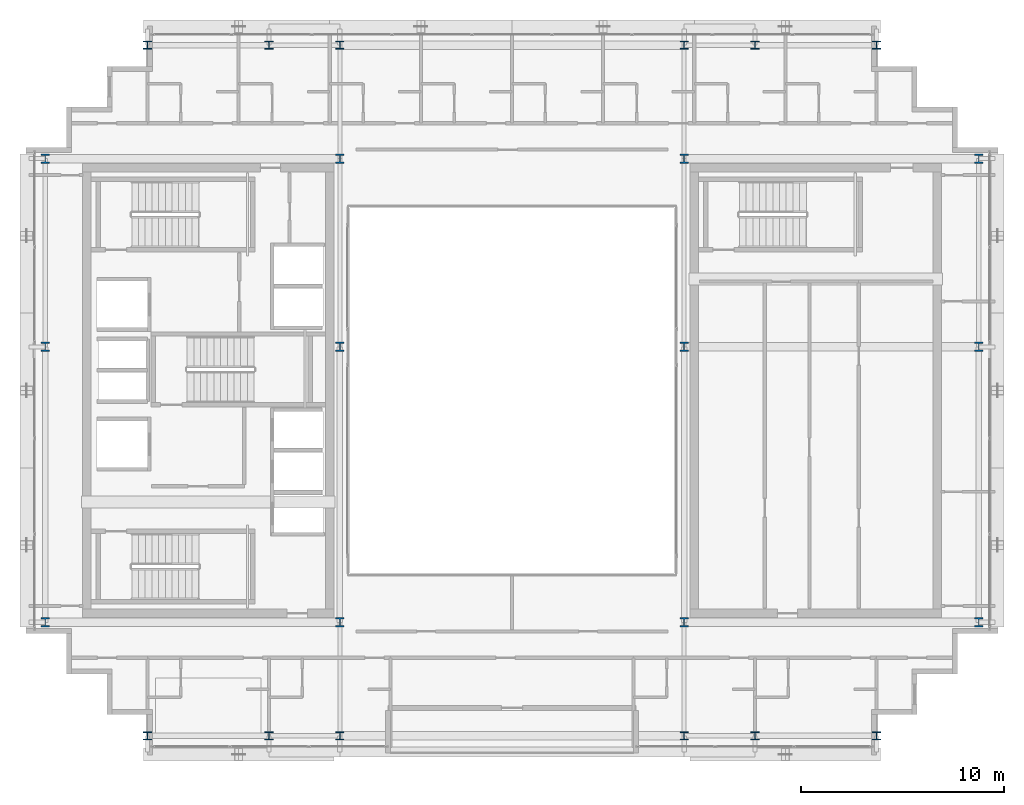
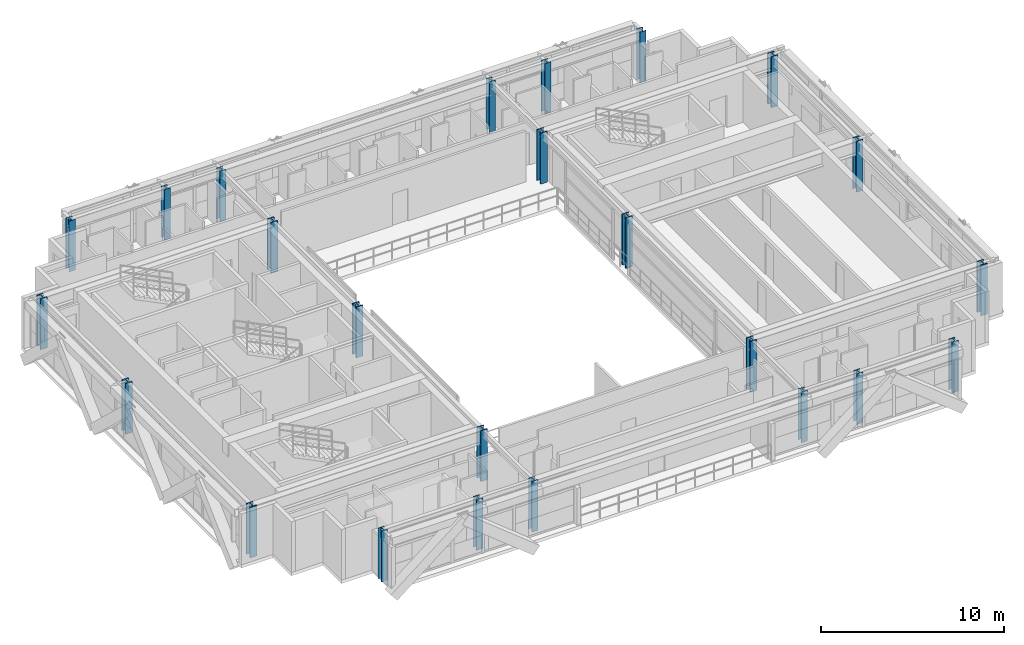
# One storey, part 1 of 29: 24 columns.
"""IFC4 building model written with IfcOpenShell, lengths in metres."""

from ifc_helpers import new_model, si_unit, direction, frame, origin, origin_2d, place, context, subcontext, project, spatial, i_section, extrude, source, transform, mapped, material, material_profile, profile_set, type_object, element, save


model = new_model("IFC4")

# Units and contexts
model_context = context("Model", 3, precision=1e-05, world=origin(), true_north=direction((0.0, 1.0)))
body_context = subcontext(model_context, "Body", "Model", "MODEL_VIEW")
ifc_project = project(units=[si_unit("LENGTHUNIT", "METRE"), si_unit("AREAUNIT", "SQUARE_METRE"), si_unit("VOLUMEUNIT", "CUBIC_METRE"), si_unit("PLANEANGLEUNIT", "RADIAN"), si_unit("MASSUNIT", "GRAM", prefix="KILO")], contexts=[model_context])

# Site, building, storey
site_placement = place(None, origin())
site = spatial("IfcSite", under=ifc_project, at=site_placement, CompositionType="ELEMENT")
building_placement = place(site_placement, origin())
building = spatial("IfcBuilding", under=site, at=building_placement, Name="Ocotamira Hotel", CompositionType="ELEMENT")
storey_placement = place(building_placement, frame((0.0, 0.0, 236.39990234375)))
storey = spatial("IfcBuildingStorey", under=building, at=storey_placement, Name="L59", CompositionType="ELEMENT", Elevation=236.39990234375)

# Columns
ifc_material_1 = material(Name="Steel ASTM A913 Grade 65", Category="steel")
ifc_material_profile_1 = material_profile(ifc_material_1, i_section(OverallWidth=0.422119140625, OverallDepth=0.465087890625, WebThickness=0.044921875, FlangeThickness=0.072509765625, FilletRadius=0.02490234375, at=origin_2d()), Name="W14X398")
ifc_profile_set_1 = profile_set([ifc_material_profile_1], Name="Steel ASTM A913 Grade 65")
column_type_1 = type_object("IfcColumnType", Name="COL-W14X398", PredefinedType="COLUMN", material=ifc_profile_set_1)
shared_shape_1 = source(origin(), body_context, "Body", "SweptSolid", [
    extrude(i_section(OverallWidth=0.422119140625, OverallDepth=0.465087890625, WebThickness=0.044921875, FlangeThickness=0.072509765625, FilletRadius=0.02490234375, at=origin_2d()), origin(), (0.0, 0.0, 1.0), 3.380126953125),
])
for number, where, z_axis, x_axis, name in (
    (1, (8.949951171875, 14.550048828125, 0.0), (0.0, 0.0, 1.0), (1.0, 0.0, 0.0), "L59 Column TW8_14"),
    (2, (23.5, 14.550048828125, 0.0), (0.0, 0.0, 1.0), (1.0, 0.0, 0.0), "L59 Column TW23_14"),
    (3, (40.5, 14.550048828125, 0.0), (0.0, 0.0, 1.0), (1.0, 0.0, 0.0), "L59 Column TE40_14"),
    (4, (55.050048828125, 14.550048828125, 0.0), (0.0, 0.0, 1.0), (1.0, 0.0, 0.0), "L59 Column TE55_14"),
    (5, (8.949951171875, 28.14990234375, 0.0), (0.0, 0.0, 1.0), (1.0, 0.0, 0.0), "L59 Column TW8_28"),
    (6, (23.5, 28.14990234375, 0.0), (0.0, 0.0, 1.0), (1.0, 0.0, 0.0), "L59 Column TW23_28"),
    (7, (40.5, 28.14990234375, 0.0), (0.0, 0.0, 1.0), (1.0, 0.0, 0.0), "L59 Column TE40_28"),
    (8, (55.050048828125, 28.14990234375, 0.0), (0.0, 0.0, 1.0), (1.0, 0.0, 0.0), "L59 Column TE55_28"),
    (9, (8.949951171875, 37.449951171875, 0.0), (0.0, 0.0, 1.0), (1.0, 0.0, 0.0), "L59 Column TW8_37"),
    (10, (23.5, 37.449951171875, 0.0), (0.0, 0.0, 1.0), (1.0, 0.0, 0.0), "L59 Column TW23_37"),
    (11, (40.5, 37.449951171875, 0.0), (0.0, 0.0, 1.0), (1.0, 0.0, 0.0), "L59 Column TE40_37"),
    (12, (55.050048828125, 37.449951171875, 0.0), (0.0, 0.0, 1.0), (1.0, 0.0, 0.0), "L59 Column TE55_37"),
):
    element("IfcColumn", number, at=place(storey_placement, frame(where, z_axis=z_axis, x_axis=x_axis)), inside=storey, type_object=column_type_1, Name=name, PredefinedType="COLUMN", context=body_context, shape_type="MappedRepresentation", body=[
        mapped(shared_shape_1, transform((0.0, 0.0, 0.0), scale=1.0)),
    ])
ifc_material_2 = material(Name="Steel ASTM A992 Grade 50", Category="steel")
ifc_material_profile_2 = material_profile(ifc_material_2, i_section(OverallWidth=0.39892578125, OverallDepth=0.386962890625, WebThickness=0.02099609375, FlangeThickness=0.033203125, FilletRadius=0.02490234375, at=origin_2d()), Name="W14X176")
ifc_profile_set_2 = profile_set([ifc_material_profile_2], Name="Steel ASTM A992 Grade 50")
column_type_2 = type_object("IfcColumnType", Name="COL-W14X176", PredefinedType="COLUMN", material=ifc_profile_set_2)
shared_shape_2 = source(origin(), body_context, "Body", "SweptSolid", [
    extrude(i_section(OverallWidth=0.39892578125, OverallDepth=0.386962890625, WebThickness=0.02099609375, FlangeThickness=0.033203125, FilletRadius=0.02490234375, at=origin_2d()), origin(), (0.0, 0.0, 1.0), 3.380126953125),
])
for number, where, z_axis, x_axis, name in (
    (13, (14.0, 8.949951171875, 0.0), (0.0, 0.0, 1.0), (1.0, 0.0, 0.0), "L59 Column NSP1_14"),
    (14, (20.0, 8.949951171875, 0.0), (0.0, 0.0, 1.0), (1.0, 0.0, 0.0), "L59 Column NSP1_20"),
    (15, (23.5, 8.949951171875, 0.0), (0.0, 0.0, 1.0), (1.0, 0.0, 0.0), "L59 Column NSP1_23"),
    (16, (40.5, 8.949951171875, 0.0), (0.0, 0.0, 1.0), (1.0, 0.0, 0.0), "L59 Column NSP1_40"),
    (17, (44.0, 8.949951171875, 0.0), (0.0, 0.0, 1.0), (1.0, 0.0, 0.0), "L59 Column NSP1_44"),
    (18, (50.0, 8.949951171875, 0.0), (0.0, 0.0, 1.0), (1.0, 0.0, 0.0), "L59 Column NSP1_50"),
    (19, (14.0, 43.050048828125, 0.0), (0.0, 0.0, 1.0), (1.0, 0.0, 0.0), "L59 Column NSP2_14"),
    (20, (20.0, 43.050048828125, 0.0), (0.0, 0.0, 1.0), (1.0, 0.0, 0.0), "L59 Column NSP2_20"),
    (21, (23.5, 43.050048828125, 0.0), (0.0, 0.0, 1.0), (1.0, 0.0, 0.0), "L59 Column NSP2_23"),
    (22, (40.5, 43.050048828125, 0.0), (0.0, 0.0, 1.0), (1.0, 0.0, 0.0), "L59 Column NSP2_40"),
    (23, (44.0, 43.050048828125, 0.0), (0.0, 0.0, 1.0), (1.0, 0.0, 0.0), "L59 Column NSP2_44"),
    (24, (50.0, 43.050048828125, 0.0), (0.0, 0.0, 1.0), (1.0, 0.0, 0.0), "L59 Column NSP2_50"),
):
    element("IfcColumn", number, at=place(storey_placement, frame(where, z_axis=z_axis, x_axis=x_axis)), inside=storey, type_object=column_type_2, Name=name, PredefinedType="COLUMN", context=body_context, shape_type="MappedRepresentation", body=[
        mapped(shared_shape_2, transform((0.0, 0.0, 0.0), scale=1.0)),
    ])

save(model, "model.ifc")
